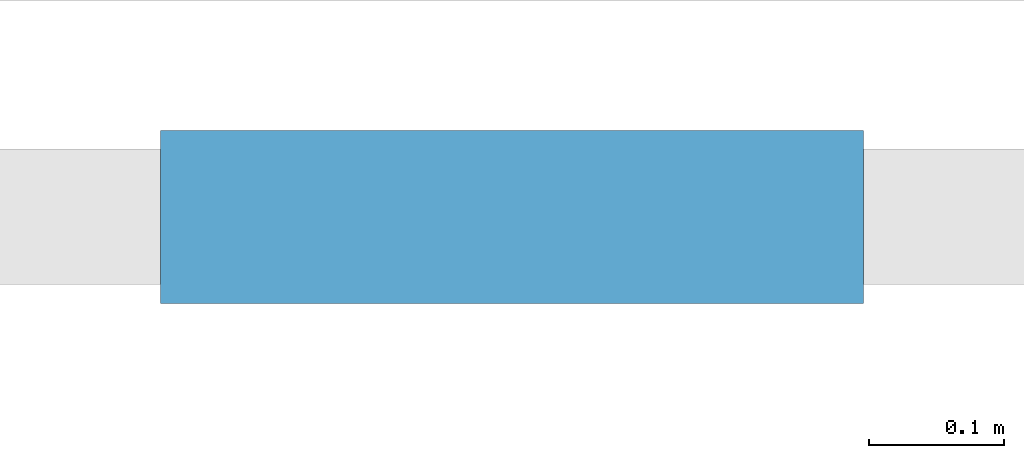
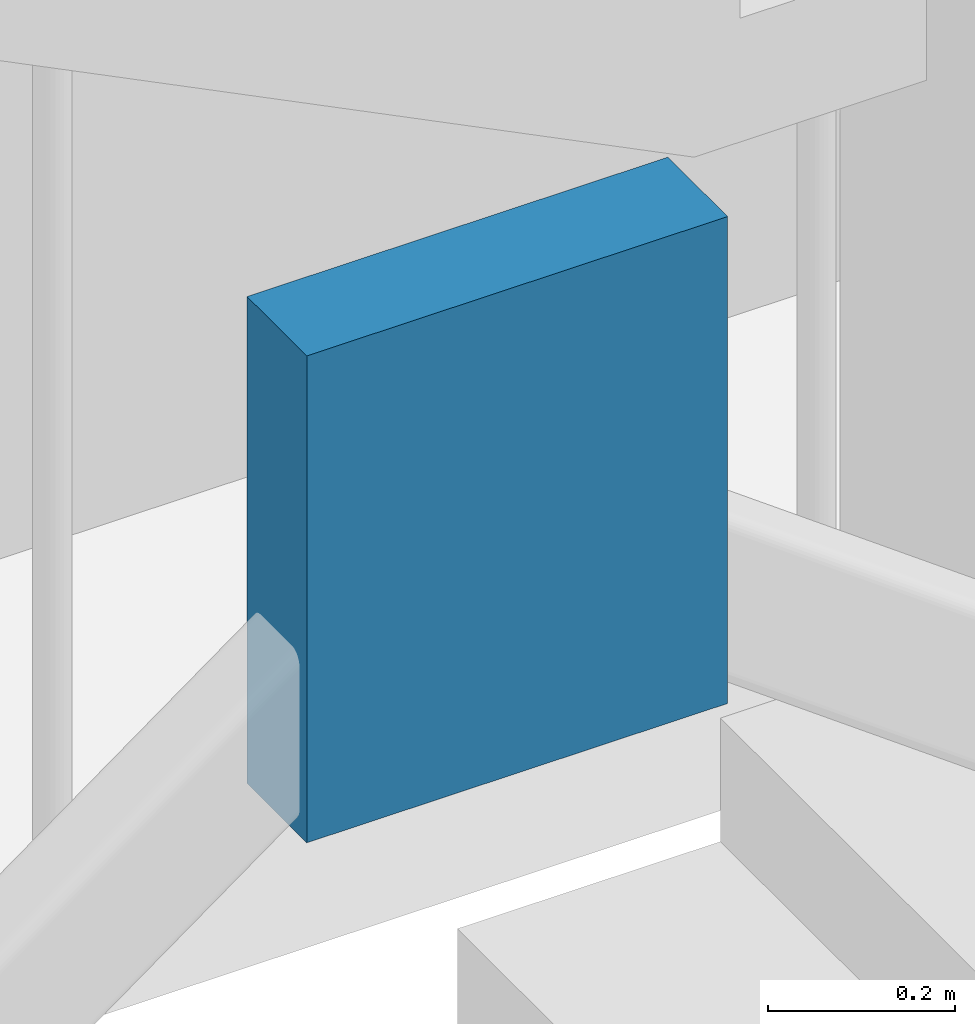
# One storey, part 23 of 42: 1 plate.
"""IFC4 building model written with IfcOpenShell, lengths in metres."""

from ifc_helpers import new_model, si_unit, direction, frame, origin, origin_2d, place, context, subcontext, project, spatial, rectangle, extrude, material, layer, layer_set, type_object, element, save


model = new_model("IFC4")

# Units and contexts
model_context = context("Model", 3, precision=1e-05, world=origin(), true_north=direction((0.0, 1.0)))
body_context = subcontext(model_context, "Body", "Model", "MODEL_VIEW")
ifc_project = project(units=[si_unit("LENGTHUNIT", "METRE"), si_unit("AREAUNIT", "SQUARE_METRE"), si_unit("VOLUMEUNIT", "CUBIC_METRE"), si_unit("PLANEANGLEUNIT", "RADIAN"), si_unit("MASSUNIT", "GRAM", prefix="KILO")], contexts=[model_context])

# Site, building, storey
site_placement = place(None, origin())
site = spatial("IfcSite", under=ifc_project, at=site_placement, CompositionType="ELEMENT")
building_placement = place(site_placement, origin())
building = spatial("IfcBuilding", under=site, at=building_placement, Name="Kolvemor Railside Polytechnic", CompositionType="ELEMENT")
storey_placement = place(building_placement, frame((0.0, 0.0, 14.39990234375)))
storey = spatial("IfcBuildingStorey", under=building, at=storey_placement, Name="L03", CompositionType="ELEMENT", Elevation=14.39990234375)

# Plate
ifc_material = material(Name="Steel S355", Category="steel")
ifc_layer = layer(ifc_material, 0.1279296875, Name="PLT-GUSSET-12")
ifc_layer_set = layer_set([ifc_layer], Name="Steel S355")
plate_type = type_object("IfcPlateType", Name="PLT-GUSSET-12", PredefinedType="USERDEFINED", material=ifc_layer_set)
plate_placement = place(storey_placement, frame((72.0, 0.0, 3.33203125), z_axis=(0.0, 0.0, 1.0), x_axis=(1.0, 0.0, 0.0)))
element("IfcPlate", 1, at=plate_placement, inside=storey, type_object=plate_type, Name="Brace Chevron Gusset Plate GP-BR28", ObjectType="GUSSET PLATE", PredefinedType="USERDEFINED", context=body_context, shape_type="SweptSolid", body=[
    extrude(rectangle(XDim=0.52001953125, YDim=0.1279296875, at=origin_2d()), origin(), (0.0, 0.0, 1.0), 0.635986328125),
])

save(model, "model.ifc")
